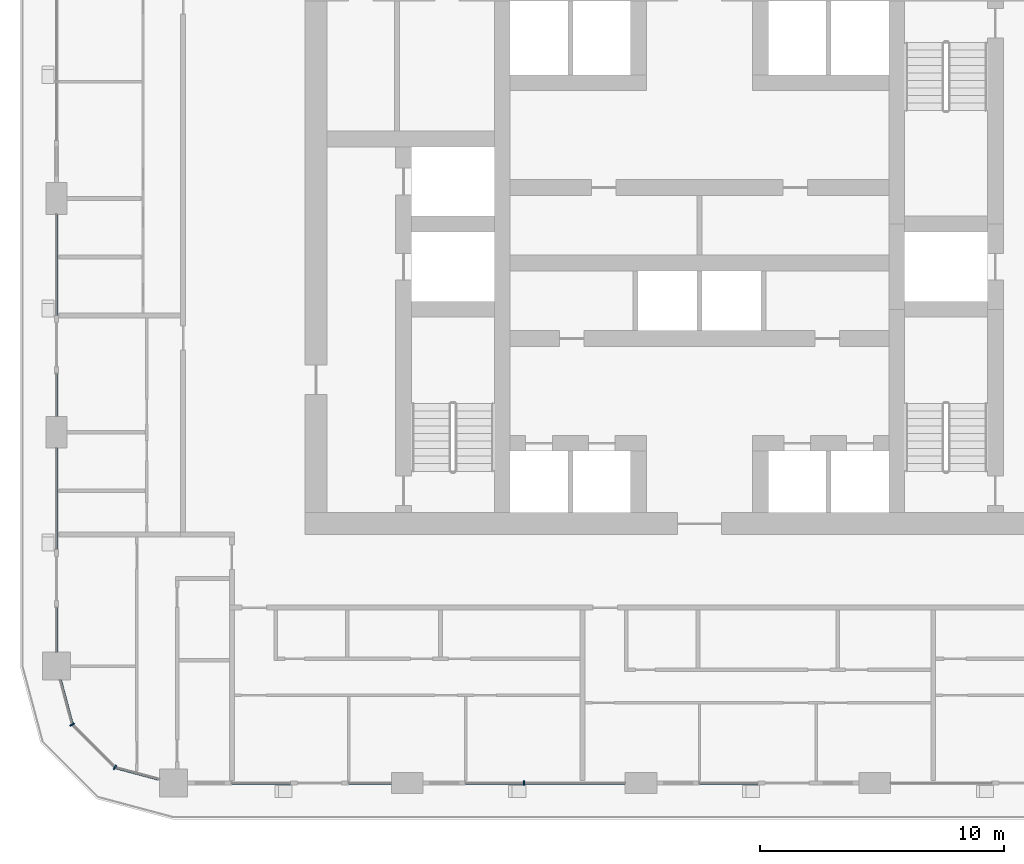
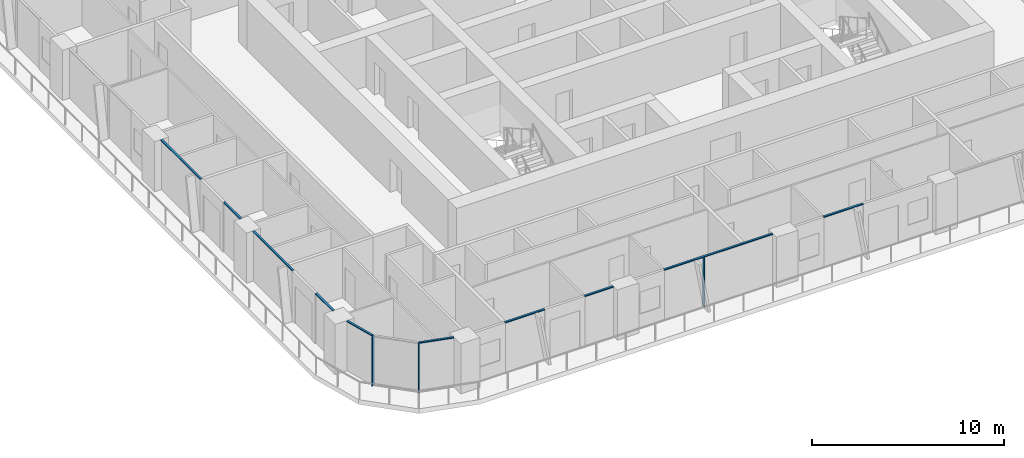
# One storey, part 2 of 21: 13 members, 6 elements without a shape of their own.
"""IFC4 building model written with IfcOpenShell, lengths in metres."""

from ifc_helpers import new_model, si_unit, direction, frame, origin, origin_2d, place, context, subcontext, project, spatial, rectangle, extrude, material, layer, layer_set, material_profile, profile_set, type_object, element, aggregate, save


model = new_model("IFC4")

# Units and contexts
model_context = context("Model", 3, precision=1e-05, world=origin(), true_north=direction((0.0, 1.0)))
body_context = subcontext(model_context, "Body", "Model", "MODEL_VIEW")
ifc_project = project(units=[si_unit("LENGTHUNIT", "METRE"), si_unit("AREAUNIT", "SQUARE_METRE"), si_unit("VOLUMEUNIT", "CUBIC_METRE"), si_unit("PLANEANGLEUNIT", "RADIAN"), si_unit("MASSUNIT", "GRAM", prefix="KILO")], contexts=[model_context])

# Site, building, storey
site_placement = place(None, origin())
site = spatial("IfcSite", under=ifc_project, at=site_placement, CompositionType="ELEMENT")
building_placement = place(site_placement, origin())
building = spatial("IfcBuilding", under=site, at=building_placement, Name="Madar Terraces", CompositionType="ELEMENT")
storey_placement = place(building_placement, frame((0.0, 0.0, 106.699951171875)))
storey = spatial("IfcBuildingStorey", under=building, at=storey_placement, Name="L27", CompositionType="ELEMENT", Elevation=106.699951171875)

# Curtain wall, member
ifc_material_1 = material(Name="Glass, ceramic frit dark grey, with black aluminium frame", Category="aluminium")
ifc_layer = layer(ifc_material_1, 0.199951171875)
ifc_layer_set = layer_set([ifc_layer], Name="Facade curtain wall, fritted glass")
curtain_wall_type = type_object("IfcCurtainWallType", Name="Facade curtain wall, fritted glass", PredefinedType="NOTDEFINED", material=ifc_layer_set)
curtain_wall_1_placement = place(storey_placement, origin())
curtain_wall_1 = element("IfcCurtainWall", 1, at=curtain_wall_1_placement, inside=storey, type_object=curtain_wall_type, Name="Outer skin curtain wall south bay 2", PredefinedType="NOTDEFINED")
ifc_material_2 = material(Name="Aluminium, black anodised", Category="aluminium")
ifc_material_profile_1 = material_profile(ifc_material_2, rectangle(XDim=0.199951171875, YDim=0.06005859375, at=origin_2d()), Name="Facade mullion 60x200")
ifc_profile_set_1 = profile_set([ifc_material_profile_1], Name="Aluminium, black anodised")
member_type_1 = type_object("IfcMemberType", Name="Facade mullion 60x200", PredefinedType="MULLION", material=ifc_profile_set_1)
member_1_placement = place(storey_placement, frame((24.0, 4.800048828125, 0.0), z_axis=(0.0, 0.0, 1.0), x_axis=(0.0, 1.0, 0.0)))
member_1 = element("IfcMember", 2, at=member_1_placement, type_object=member_type_1, Name="Mullion 1", PredefinedType="MULLION", context=body_context, shape_type="SweptSolid", body=[
    extrude(rectangle(XDim=0.199951171875, YDim=0.06005859375, at=origin_2d()), origin(), (0.0, 0.0, 1.0), 3.14013671875),
])

# Curtain wall, members
curtain_wall_2_placement = place(storey_placement, origin())
curtain_wall_2 = element("IfcCurtainWall", 3, at=curtain_wall_2_placement, inside=storey, type_object=curtain_wall_type, Name="Outer skin curtain wall south-west corner", PredefinedType="NOTDEFINED")
member_2_placement = place(storey_placement, frame((5.443115234375, 7.199951171875, 0.0), z_axis=(0.0, 0.0, 1.0), x_axis=(0.866025409797, 0.499999989586, 0.0)))
member_2 = element("IfcMember", 4, at=member_2_placement, type_object=member_type_1, Name="Mullion 1", PredefinedType="MULLION", context=body_context, shape_type="SweptSolid", body=[
    extrude(rectangle(XDim=0.199951171875, YDim=0.06005859375, at=origin_2d()), origin(), (0.0, 0.0, 1.0), 3.14013671875),
])
member_3_placement = place(storey_placement, frame((7.199951171875, 5.443115234375, 0.0), z_axis=(0.0, 0.0, 1.0), x_axis=(0.499999989586, 0.866025409797, 0.0)))
member_3 = element("IfcMember", 5, at=member_3_placement, type_object=member_type_1, Name="Mullion 2", PredefinedType="MULLION", context=body_context, shape_type="SweptSolid", body=[
    extrude(rectangle(XDim=0.199951171875, YDim=0.06005859375, at=origin_2d()), origin(), (0.0, 0.0, 1.0), 3.14013671875),
])

curtain_wall_3_placement = place(storey_placement, origin())
curtain_wall_3 = element("IfcCurtainWall", 6, at=curtain_wall_3_placement, inside=storey, type_object=curtain_wall_type, Name="Outer skin curtain wall south bay 1", PredefinedType="NOTDEFINED")
ifc_material_3 = material(Name="Aluminium, black anodised", Category="aluminium")
ifc_material_profile_2 = material_profile(ifc_material_3, rectangle(XDim=0.1201171875, YDim=0.06005859375, at=origin_2d()), Name="Facade transom 60x120")
ifc_profile_set_2 = profile_set([ifc_material_profile_2], Name="Aluminium, black anodised")
member_type_2 = type_object("IfcMemberType", Name="Facade transom 60x120", PredefinedType="USERDEFINED", material=ifc_profile_set_2)
member_4_placement = place(storey_placement, frame((12.0, 4.800048828125, 3.170166015625), z_axis=(1.0, 0.0, 0.0), x_axis=(0.0, 1.0, 0.0)))
member_4 = element("IfcMember", 7, at=member_4_placement, type_object=member_type_2, Name="Transom 1", ObjectType="TRANSOM", PredefinedType="USERDEFINED", context=body_context, shape_type="SweptSolid", body=[
    extrude(rectangle(XDim=0.1201171875, YDim=0.06005859375, at=origin_2d()), origin(), (0.0, 0.0, 1.0), 2.39990234375),
])
member_5_placement = place(storey_placement, frame((16.800048828125, 4.800048828125, 3.170166015625), z_axis=(1.0, 0.0, 0.0), x_axis=(0.0, 1.0, 0.0)))
member_5 = element("IfcMember", 8, at=member_5_placement, type_object=member_type_2, Name="Transom 2", ObjectType="TRANSOM", PredefinedType="USERDEFINED", context=body_context, shape_type="SweptSolid", body=[
    extrude(rectangle(XDim=0.1201171875, YDim=0.06005859375, at=origin_2d()), origin(), (0.0, 0.0, 1.0), 1.75),
])
aggregate(curtain_wall_3, [member_4, member_5])

# Member
member_6_placement = place(storey_placement, frame((21.60009765625, 4.800048828125, 3.170166015625), z_axis=(1.0, 0.0, 0.0), x_axis=(0.0, 1.0, 0.0)))
member_6 = element("IfcMember", 9, at=member_6_placement, type_object=member_type_2, Name="Transom 1", ObjectType="TRANSOM", PredefinedType="USERDEFINED", context=body_context, shape_type="SweptSolid", body=[
    extrude(rectangle(XDim=0.1201171875, YDim=0.06005859375, at=origin_2d()), origin(), (0.0, 0.0, 1.0), 6.5498046875),
])

aggregate(curtain_wall_1, [member_1, member_6])

# Curtain wall, member
curtain_wall_4_placement = place(storey_placement, origin())
curtain_wall_4 = element("IfcCurtainWall", 10, at=curtain_wall_4_placement, inside=storey, type_object=curtain_wall_type, Name="Outer skin curtain wall south bay 3", PredefinedType="NOTDEFINED")
member_7_placement = place(storey_placement, frame((31.199951171875, 4.800048828125, 3.170166015625), z_axis=(1.0, 0.0, 0.0), x_axis=(0.0, 1.0, 0.0)))
member_7 = element("IfcMember", 11, at=member_7_placement, type_object=member_type_2, Name="Transom 1", ObjectType="TRANSOM", PredefinedType="USERDEFINED", context=body_context, shape_type="SweptSolid", body=[
    extrude(rectangle(XDim=0.1201171875, YDim=0.06005859375, at=origin_2d()), origin(), (0.0, 0.0, 1.0), 2.400146484375),
])
aggregate(curtain_wall_4, [member_7])

# Curtain wall, members
curtain_wall_5_placement = place(storey_placement, origin())
curtain_wall_5 = element("IfcCurtainWall", 12, at=curtain_wall_5_placement, inside=storey, type_object=curtain_wall_type, Name="Outer skin curtain wall west bay 3", PredefinedType="NOTDEFINED")
member_8_placement = place(storey_placement, frame((4.800048828125, 28.14990234375, 3.170166015625), z_axis=(0.0, -1.0, 0.0), x_axis=(1.0, 0.0, 0.0)))
member_8 = element("IfcMember", 13, at=member_8_placement, type_object=member_type_2, Name="Transom 1", ObjectType="TRANSOM", PredefinedType="USERDEFINED", context=body_context, shape_type="SweptSolid", body=[
    extrude(rectangle(XDim=0.1201171875, YDim=0.06005859375, at=origin_2d()), origin(), (0.0, 0.0, 1.0), 4.14990234375),
])
member_9_placement = place(storey_placement, frame((4.800048828125, 21.60009765625, 3.170166015625), z_axis=(0.0, -1.0, 0.0), x_axis=(1.0, 0.0, 0.0)))
member_9 = element("IfcMember", 14, at=member_9_placement, type_object=member_type_2, Name="Transom 2", ObjectType="TRANSOM", PredefinedType="USERDEFINED", context=body_context, shape_type="SweptSolid", body=[
    extrude(rectangle(XDim=0.1201171875, YDim=0.06005859375, at=origin_2d()), origin(), (0.0, 0.0, 1.0), 1.75),
])
aggregate(curtain_wall_5, [member_8, member_9])

curtain_wall_6_placement = place(storey_placement, origin())
curtain_wall_6 = element("IfcCurtainWall", 15, at=curtain_wall_6_placement, inside=storey, type_object=curtain_wall_type, Name="Outer skin curtain wall west bay 4", PredefinedType="NOTDEFINED")
member_10_placement = place(storey_placement, frame((4.800048828125, 18.550048828125, 3.170166015625), z_axis=(0.0, -1.0, 0.0), x_axis=(1.0, 0.0, 0.0)))
member_10 = element("IfcMember", 16, at=member_10_placement, type_object=member_type_2, Name="Transom 1", ObjectType="TRANSOM", PredefinedType="USERDEFINED", context=body_context, shape_type="SweptSolid", body=[
    extrude(rectangle(XDim=0.1201171875, YDim=0.06005859375, at=origin_2d()), origin(), (0.0, 0.0, 1.0), 4.150146484375),
])
member_11_placement = place(storey_placement, frame((4.800048828125, 12.0, 3.170166015625), z_axis=(0.0, -1.0, 0.0), x_axis=(1.0, 0.0, 0.0)))
member_11 = element("IfcMember", 17, at=member_11_placement, type_object=member_type_2, Name="Transom 2", ObjectType="TRANSOM", PredefinedType="USERDEFINED", context=body_context, shape_type="SweptSolid", body=[
    extrude(rectangle(XDim=0.1201171875, YDim=0.06005859375, at=origin_2d()), origin(), (0.0, 0.0, 1.0), 1.824951171875),
])
aggregate(curtain_wall_6, [member_10, member_11])

# Member
member_12_placement = place(storey_placement, frame((4.9541015625, 9.02490234375, 3.170166015625), z_axis=(0.258814847786, -0.965926950947, 0.0), x_axis=(0.965926950947, 0.258814847786, 0.0)))
member_12 = element("IfcMember", 18, at=member_12_placement, type_object=member_type_2, Name="Transom 1", ObjectType="TRANSOM", PredefinedType="USERDEFINED", context=body_context, shape_type="SweptSolid", body=[
    extrude(rectangle(XDim=0.1201171875, YDim=0.06005859375, at=origin_2d()), origin(), (0.0, 0.0, 1.0), 1.859130859375),
])

member_13_placement = place(storey_placement, frame((7.22900390625, 5.435302734375, 3.170166015625), z_axis=(0.965926950947, -0.258814847786, 0.0), x_axis=(0.258814847786, 0.965926950947, 0.0)))
member_13 = element("IfcMember", 19, at=member_13_placement, type_object=member_type_2, Name="Transom 3", ObjectType="TRANSOM", PredefinedType="USERDEFINED", context=body_context, shape_type="SweptSolid", body=[
    extrude(rectangle(XDim=0.1201171875, YDim=0.06005859375, at=origin_2d()), origin(), (0.0, 0.0, 1.0), 1.859130859375),
])

aggregate(curtain_wall_2, [member_2, member_12, member_3, member_13])

save(model, "model.ifc")
